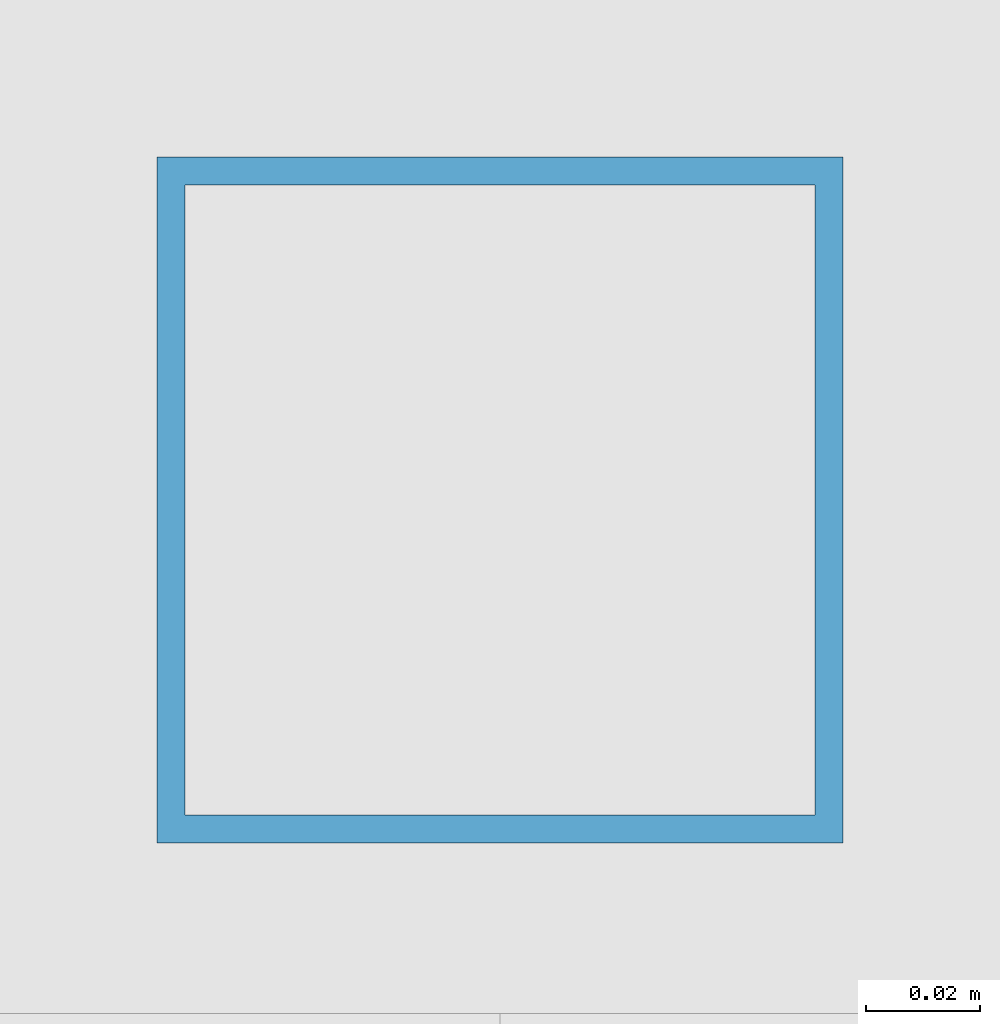
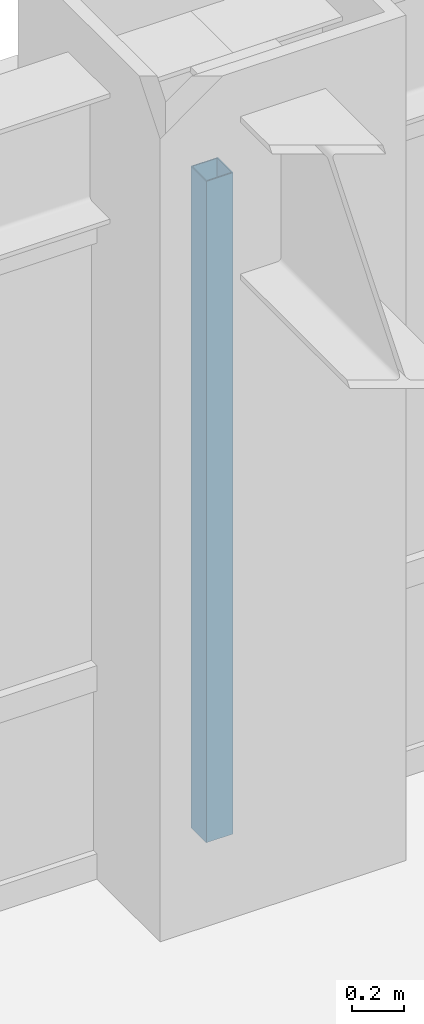
# One storey, part 16 of 28: 1 member, 1 element without a shape of its own.
"""IFC4 building model written with IfcOpenShell, lengths in metres."""

from ifc_helpers import new_model, si_unit, direction, frame, origin, origin_2d, place, context, subcontext, project, spatial, hollow_rectangle, extrude, source, transform, mapped, material, material_profile, profile_set, type_object, element, aggregate, save


model = new_model("IFC4")

# Units and contexts
model_context = context("Model", 3, precision=1e-05, world=origin(), true_north=direction((0.0, 1.0)))
body_context = subcontext(model_context, "Body", "Model", "MODEL_VIEW")
ifc_project = project(units=[si_unit("LENGTHUNIT", "METRE"), si_unit("AREAUNIT", "SQUARE_METRE"), si_unit("VOLUMEUNIT", "CUBIC_METRE"), si_unit("PLANEANGLEUNIT", "RADIAN"), si_unit("MASSUNIT", "GRAM", prefix="KILO")], contexts=[model_context])

# Site, building, storey
site_placement = place(None, origin())
site = spatial("IfcSite", under=ifc_project, at=site_placement, CompositionType="ELEMENT")
building_placement = place(site_placement, origin())
building = spatial("IfcBuilding", under=site, at=building_placement, Name="Khorayat Bourse Tower", CompositionType="ELEMENT")
storey_placement = place(building_placement, frame((0.0, 0.0, 191.10009765625)))
storey = spatial("IfcBuildingStorey", under=building, at=storey_placement, Name="L44", CompositionType="ELEMENT", Elevation=191.10009765625)

# Curtain wall, member
ifc_material = material(Name="Aluminium EN AW-6063 T6", Category="aluminium")
curtain_wall_type = type_object("IfcCurtainWallType", Name="CW-SYS-03", PredefinedType="NOTDEFINED", material=ifc_material)
curtain_wall_placement = place(storey_placement, origin())
curtain_wall = element("IfcCurtainWall", 1, at=curtain_wall_placement, inside=storey, type_object=curtain_wall_type, Name="L44 Curtain Wall CW-L44-N1", PredefinedType="NOTDEFINED")
ifc_material_profile = material_profile(ifc_material, hollow_rectangle(XDim=0.1201171875, YDim=0.1201171875, WallThickness=0.0048828125, at=origin_2d()), Name="ALU 120x120x5")
ifc_profile_set = profile_set([ifc_material_profile], Name="Aluminium EN AW-6063 T6")
member_type = type_object("IfcMemberType", Name="CWM-VERT-120", PredefinedType="MULLION", material=ifc_profile_set)
shared_shape = source(origin(), body_context, "Body", "SweptSolid", [
    extrude(hollow_rectangle(XDim=0.1201171875, YDim=0.1201171875, WallThickness=0.0048828125, at=origin_2d()), origin(), (0.0, 0.0, 1.0), 3.1298828125),
])
member_placement = place(storey_placement, frame((0.0, 30.0, 0.0), z_axis=(0.0, 0.0, 1.0), x_axis=(0.0, 1.0, 0.0)))
member = element("IfcMember", 2, at=member_placement, type_object=member_type, Name="CW-L44-N1 Vertical Mullion 2", PredefinedType="MULLION", context=body_context, shape_type="MappedRepresentation", body=[
    mapped(shared_shape, transform((0.0, 0.0, 0.0), scale=1.0)),
])
aggregate(curtain_wall, [member])

save(model, "model.ifc")
